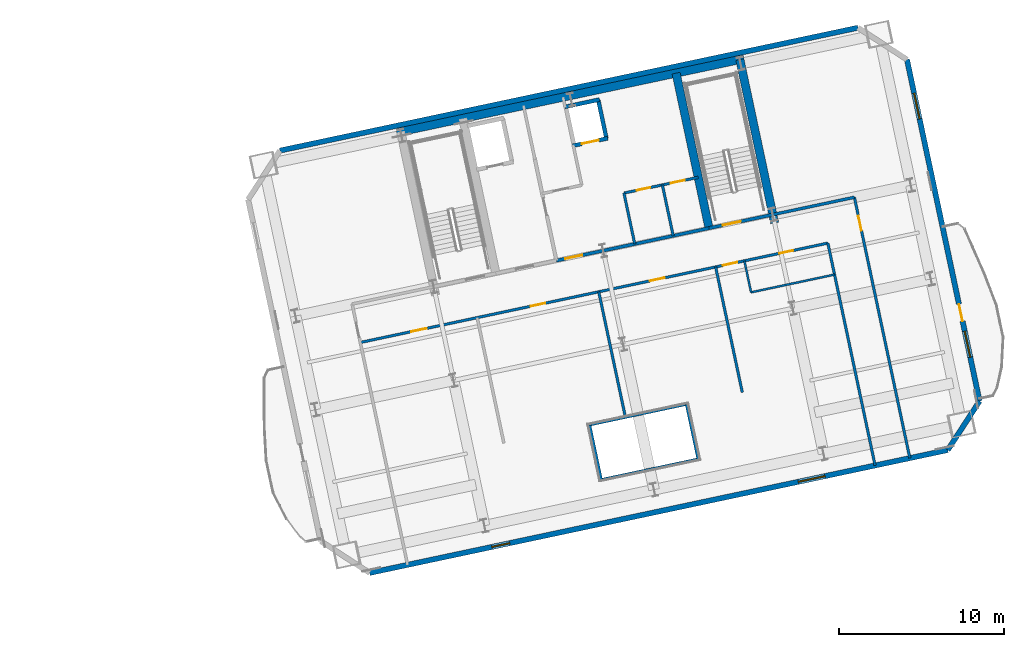
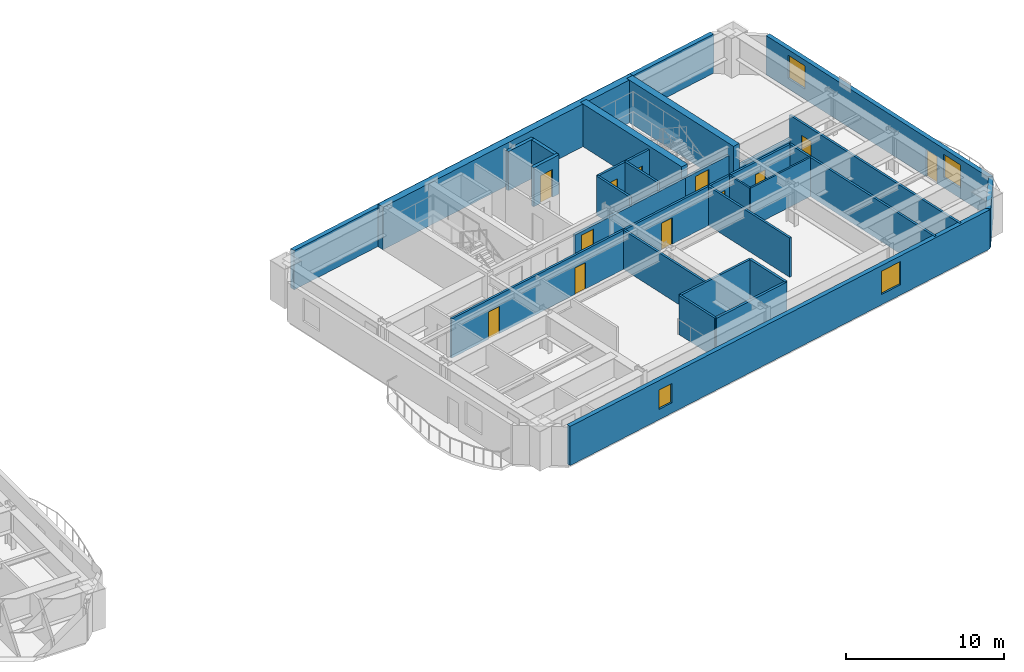
# One storey, part 10 of 15: 27 walls, 12 doors, 4 windows, 16 openings.
"""IFC4 building model written with IfcOpenShell, lengths in metres."""

from ifc_helpers import new_model, si_unit, direction, frame, frame_2d, origin, place, context, subcontext, project, spatial, rectangle, extrude, material, layer, layer_set, type_object, element, fill, save


model = new_model("IFC4")

# Units and contexts
model_context = context("Model", 3, precision=1e-05, world=origin(), true_north=direction((0.0, 1.0)))
body_context = subcontext(model_context, "Body", "Model", "MODEL_VIEW")
ifc_project = project(units=[si_unit("LENGTHUNIT", "METRE"), si_unit("AREAUNIT", "SQUARE_METRE"), si_unit("VOLUMEUNIT", "CUBIC_METRE"), si_unit("PLANEANGLEUNIT", "RADIAN"), si_unit("MASSUNIT", "GRAM", prefix="KILO")], contexts=[model_context])

# Site, building, storey
site_placement = place(None, origin())
site = spatial("IfcSite", under=ifc_project, at=site_placement, CompositionType="ELEMENT")
building_placement = place(site_placement, origin())
building = spatial("IfcBuilding", under=site, at=building_placement, Name="Haevon Station Towers", CompositionType="ELEMENT")
storey_placement = place(building_placement, frame((0.0, 0.0, 109.800048828125)))
storey = spatial("IfcBuildingStorey", under=building, at=storey_placement, Name="L29", CompositionType="ELEMENT", Elevation=109.800048828125)

# Walls
ifc_material_1 = material(Name="Gypsum board on steel stud", Category="steel")
ifc_layer_1 = layer(ifc_material_1, 0.179931640625)
ifc_layer_set_1 = layer_set([ifc_layer_1], Name="Gypsum board on steel stud")
wall_type_1 = type_object("IfcWallType", Name="WL-ACU180", PredefinedType="PARTITIONING", material=ifc_layer_set_1)
wall_1_placement = place(storey_placement, frame((119.29345703125, 41.80859375, 0.0), z_axis=(0.0, 0.0, 1.0), x_axis=(0.978154058851, 0.207881305445, 0.0)))
element("IfcWall", 1, at=wall_1_placement, inside=storey, type_object=wall_type_1, Name="WL-T2PT-L29-03", PredefinedType="PARTITIONING", context=body_context, shape_type="SweptSolid", body=[
    extrude(rectangle(XDim=5.050048828125, YDim=0.179931640625, at=frame_2d((2.52490234375, 0.0))), origin(), (0.0, 0.0, 1.0), 1.22998046875),
])
wall_2_placement = place(storey_placement, frame((108.90576171875, 25.747802734375, 0.0), z_axis=(0.0, 0.0, 1.0), x_axis=(0.978144681088, 0.207925426197, 0.0)))
element("IfcWall", 2, at=wall_2_placement, inside=storey, type_object=wall_type_1, Name="WL-T2PT-L29-06", PredefinedType="PARTITIONING", context=body_context, shape_type="SweptSolid", body=[
    extrude(rectangle(XDim=6.0, YDim=0.179931640625, at=frame_2d((3.0, 0.0))), origin(), (0.0, 0.0, 1.0), 3.030029296875),
])
wall_3_placement = place(storey_placement, frame((114.774658203125, 26.995361328125, 0.0), z_axis=(0.0, 0.0, 1.0), x_axis=(-0.207949787024, 0.97813950236, 0.0)))
element("IfcWall", 3, at=wall_3_placement, inside=storey, type_object=wall_type_1, Name="WL-T2PT-L29-09", PredefinedType="PARTITIONING", context=body_context, shape_type="SweptSolid", body=[
    extrude(rectangle(XDim=3.39990234375, YDim=0.179931640625, at=frame_2d((1.699951171875, 0.0))), origin(), (0.0, 0.0, 1.0), 3.030029296875),
])

# Wall, opening, door
ifc_layer_2 = layer(ifc_material_1, 0.199951171875)
ifc_layer_set_2 = layer_set([ifc_layer_2], Name="Gypsum board on steel stud")
wall_type_2 = type_object("IfcWallType", Name="WL-COR200", PredefinedType="PARTITIONING", material=ifc_layer_set_2)
wall_4_placement = place(storey_placement, frame((115.4296875, 40.9873046875, 0.0), z_axis=(0.0, 0.0, 1.0), x_axis=(0.978146596989, 0.207916413008, 0.0)))
wall_4 = element("IfcWall", 4, at=wall_4_placement, inside=storey, type_object=wall_type_2, Name="WL-ST-ST4-L29", PredefinedType="PARTITIONING", context=body_context, shape_type="SweptSolid", body=[
    extrude(rectangle(XDim=3.9501953125, YDim=0.199951171875, at=frame_2d((1.97509765625, 0.0))), origin(), (0.0, 0.0, 1.0), 2.3798828125),
])
opening_1_placement = place(wall_4_placement, frame((0.85009765625, 0.0, 0.0)))
opening_1 = element("IfcOpeningElement", 5, at=opening_1_placement, cuts=wall_4, Name="Opening DR-ST-ST4-L29", PredefinedType="OPENING", context=body_context, shape_type="SweptSolid", body=[
    extrude(rectangle(XDim=1.1201171875, YDim=2.10009765625, at=frame_2d((0.56005859375, 1.050048828125))), frame((0.0, 0.10986328125, 0.0), z_axis=(0.0, -1.0, 0.0), x_axis=(1.0, 0.0, 0.0)), (0.0, 0.0, 1.0), 0.219970703125),
])
ifc_material_2 = material(Name="Engineered oak timber", Category="wood")
door_type_1 = type_object("IfcDoorType", Name="DR-ST-1120", OperationType="NOTDEFINED", PredefinedType="DOOR", material=ifc_material_2)
door_1_placement = place(opening_1_placement, origin())
door_1 = element("IfcDoor", 6, at=door_1_placement, inside=storey, type_object=door_type_1, Name="L29 Escape Stair ST4 Fire Door", OperationType="SINGLE_SWING_RIGHT", OverallHeight=2.10009765625, OverallWidth=1.1201171875, PredefinedType="DOOR", context=body_context, shape_type="SweptSolid", body=[
    extrude(rectangle(XDim=1.1201171875, YDim=2.10009765625, at=frame_2d((0.56005859375, 1.050048828125))), frame((0.0, 0.02490234375, 0.0), z_axis=(0.0, -1.0, 0.0), x_axis=(1.0, 0.0, 0.0)), (0.0, 0.0, 1.0), 0.050048828125),
])
fill(opening_1, door_1)

wall_5_placement = place(storey_placement, frame((106.186279296875, 39.0224609375, 0.0), z_axis=(0.0, 0.0, 1.0), x_axis=(0.978145519981, 0.20792147975, 0.0)))
wall_5 = element("IfcWall", 7, at=wall_5_placement, inside=storey, type_object=wall_type_2, Name="WL-T2CLB-L29", PredefinedType="PARTITIONING", context=body_context, shape_type="SweptSolid", body=[
    extrude(rectangle(XDim=9.449951171875, YDim=0.199951171875, at=frame_2d((4.72509765625, 0.0))), origin(), (0.0, 0.0, 1.0), 2.3798828125),
])
opening_2_placement = place(wall_5_placement, frame((0.550048828125, 0.0, 0.0)))
opening_2 = element("IfcOpeningElement", 8, at=opening_2_placement, cuts=wall_5, Name="Opening DR-T2CLB-L29-1", PredefinedType="OPENING", context=body_context, shape_type="SweptSolid", body=[
    extrude(rectangle(XDim=1.050048828125, YDim=2.10009765625, at=frame_2d((0.52490234375, 1.050048828125))), frame((0.0, 0.10986328125, 0.0), z_axis=(0.0, -1.0, 0.0), x_axis=(1.0, 0.0, 0.0)), (0.0, 0.0, 1.0), 0.219970703125),
])
door_type_2 = type_object("IfcDoorType", Name="DR-FD60-1050", OperationType="NOTDEFINED", PredefinedType="DOOR", material=ifc_material_2)
door_2_placement = place(opening_2_placement, origin())
door_2 = element("IfcDoor", 9, at=door_2_placement, inside=storey, type_object=door_type_2, Name="L29 Tower 2 Core Lift Lobby Door 1", OperationType="SINGLE_SWING_LEFT", OverallHeight=2.10009765625, OverallWidth=1.050048828125, PredefinedType="DOOR", context=body_context, shape_type="SweptSolid", body=[
    extrude(rectangle(XDim=1.050048828125, YDim=2.10009765625, at=frame_2d((0.52490234375, 1.050048828125))), frame((0.0, 0.02490234375, 0.0), z_axis=(0.0, -1.0, 0.0), x_axis=(1.0, 0.0, 0.0)), (0.0, 0.0, 1.0), 0.050048828125),
])
fill(opening_2, door_2)

# Walls
ifc_material_3 = material(Name="Concrete C60/75", Category="concrete")
ifc_layer_3 = layer(ifc_material_3, 0.5)
ifc_layer_set_3 = layer_set([ifc_layer_3], Name="Concrete C60/75")
wall_type_3 = type_object("IfcWallType", Name="WL-CR500", PredefinedType="SHEAR", material=ifc_layer_set_3)
wall_6_placement = place(storey_placement, frame((96.511962890625, 46.78076171875, 0.0), z_axis=(0.0, 0.0, 1.0), x_axis=(0.978148546782, 0.207907239961, 0.0)))
element("IfcWall", 10, at=wall_6_placement, inside=storey, type_object=wall_type_3, Name="WL-T2CR-L29-N", PredefinedType="SHEAR", context=body_context, shape_type="SweptSolid", body=[
    extrude(rectangle(XDim=21.499755859375, YDim=0.5, at=frame_2d((10.75, 0.0))), origin(), (0.0, 0.0, 1.0), 3.300048828125),
])
wall_7_placement = place(storey_placement, frame((119.401611328125, 41.2998046875, 0.0), z_axis=(0.0, 0.0, 1.0), x_axis=(-0.207904342798, 0.978149162575, 0.0)))
element("IfcWall", 11, at=wall_7_placement, inside=storey, type_object=wall_type_3, Name="WL-T2CR-L29-E", PredefinedType="SHEAR", context=body_context, shape_type="SweptSolid", body=[
    extrude(rectangle(XDim=10.1201171875, YDim=0.5, at=frame_2d((5.06005859375, 0.0))), origin(), (0.0, 0.0, 1.0), 3.300048828125),
])
wall_8_placement = place(storey_placement, frame((115.4296875, 40.9873046875, 0.0), z_axis=(0.0, 0.0, 1.0), x_axis=(-0.207903162969, 0.978149413345, 0.0)))
element("IfcWall", 12, at=wall_8_placement, inside=storey, type_object=wall_type_3, Name="WL-T2CR-L29-M2", PredefinedType="SHEAR", context=body_context, shape_type="SweptSolid", body=[
    extrude(rectangle(XDim=9.599853515625, YDim=0.5, at=frame_2d((4.7998046875, 0.0))), origin(), (0.0, 0.0, 1.0), 3.300048828125),
])

# Wall, openings, windows
ifc_material_4 = material(Name="Precast concrete C45/55", Category="concrete")
ifc_layer_4 = layer(ifc_material_4, 0.320068359375)
ifc_layer_set_4 = layer_set([ifc_layer_4], Name="Precast concrete C45/55")
wall_type_4 = type_object("IfcWallType", Name="WL-EXT-PIER320", PredefinedType="SOLIDWALL", material=ifc_layer_set_4)
wall_9_placement = place(storey_placement, frame((129.889404296875, 27.550048828125, 0.0), z_axis=(0.0, 0.0, 1.0), x_axis=(-0.978146786281, -0.207915522479, 0.0)))
wall_9 = element("IfcWall", 13, at=wall_9_placement, inside=storey, type_object=wall_type_4, Name="WL-T2-L29-S", PredefinedType="SOLIDWALL", context=body_context, shape_type="SweptSolid", body=[
    extrude(rectangle(XDim=35.7998046875, YDim=0.320068359375, at=frame_2d((17.89990234375, 0.0))), origin(), (0.0, 0.0, 1.0), 3.030029296875),
])
opening_3_placement = place(wall_9_placement, frame((27.130126953125, 0.0, 0.800048828125)))
opening_3 = element("IfcOpeningElement", 14, at=opening_3_placement, cuts=wall_9, Name="Opening WN-COR110", PredefinedType="OPENING", context=body_context, shape_type="SweptSolid", body=[
    extrude(rectangle(XDim=1.10009765625, YDim=1.5, at=frame_2d((0.550048828125, 0.75))), frame((0.0, 0.169921875, 0.0), z_axis=(0.0, -1.0, 0.0), x_axis=(1.0, 0.0, 0.0)), (0.0, 0.0, 1.0), 0.340087890625),
])
opening_4_placement = place(wall_9_placement, frame((7.602783203125, 0.0, 0.800048828125)))
opening_4 = element("IfcOpeningElement", 15, at=opening_4_placement, cuts=wall_9, Name="Opening WN-P165", PredefinedType="OPENING", context=body_context, shape_type="SweptSolid", body=[
    extrude(rectangle(XDim=1.64990234375, YDim=1.800048828125, at=frame_2d((0.824951171875, 0.89990234375))), frame((0.0, 0.169921875, 0.0), z_axis=(0.0, -1.0, 0.0), x_axis=(1.0, 0.0, 0.0)), (0.0, 0.0, 1.0), 0.340087890625),
])
ifc_material_5 = material(Name="Low-E triple glazing in thermally broken aluminium", Category="aluminium")
window_type_1 = type_object("IfcWindowType", Name="WN-COR110", PartitioningType="SINGLE_PANEL", PredefinedType="WINDOW", material=ifc_material_5)
window_1_placement = place(opening_3_placement, origin())
window_1 = element("IfcWindow", 16, at=window_1_placement, inside=storey, type_object=window_type_1, Name="WN-T2-L29-S01", OverallHeight=1.5, OverallWidth=1.10009765625, PartitioningType="SINGLE_PANEL", PredefinedType="WINDOW", context=body_context, shape_type="SweptSolid", body=[
    extrude(rectangle(XDim=1.10009765625, YDim=1.5, at=frame_2d((0.550048828125, 0.75))), frame((0.0, 0.030029296875, 0.0), z_axis=(0.0, -1.0, 0.0), x_axis=(1.0, 0.0, 0.0)), (0.0, 0.0, 1.0), 0.06005859375),
])
fill(opening_3, window_1)
window_type_2 = type_object("IfcWindowType", Name="WN-P165", PartitioningType="SINGLE_PANEL", PredefinedType="WINDOW", material=ifc_material_5)
window_2_placement = place(opening_4_placement, origin())
window_2 = element("IfcWindow", 17, at=window_2_placement, inside=storey, type_object=window_type_2, Name="WN-T2-L29-S02", OverallHeight=1.800048828125, OverallWidth=1.64990234375, PartitioningType="SINGLE_PANEL", PredefinedType="WINDOW", context=body_context, shape_type="SweptSolid", body=[
    extrude(rectangle(XDim=1.64990234375, YDim=1.800048828125, at=frame_2d((0.824951171875, 0.89990234375))), frame((0.0, 0.030029296875, 0.0), z_axis=(0.0, -1.0, 0.0), x_axis=(1.0, 0.0, 0.0)), (0.0, 0.0, 1.0), 0.06005859375),
])
fill(opening_4, window_2)

# Wall
wall_10_placement = place(storey_placement, frame((89.43505859375, 45.685302734375, 0.0), z_axis=(0.0, 0.0, 1.0), x_axis=(0.978146786281, 0.207915522479, 0.0)))
element("IfcWall", 18, at=wall_10_placement, inside=storey, type_object=wall_type_4, Name="WL-T2-L29-N", PredefinedType="SOLIDWALL", context=body_context, shape_type="SweptSolid", body=[
    extrude(rectangle(XDim=35.7998046875, YDim=0.320068359375, at=frame_2d((17.89990234375, 0.0))), origin(), (0.0, 0.0, 1.0), 3.030029296875),
])

# Wall, openings, door, windows
wall_11_placement = place(storey_placement, frame((127.417724609375, 51.202880859375, 0.0), z_axis=(0.0, 0.0, 1.0), x_axis=(0.207918258146, -0.978146204782, 0.0)))
wall_11 = element("IfcWall", 19, at=wall_11_placement, inside=storey, type_object=wall_type_4, Name="WL-T2-L29-E", PredefinedType="SOLIDWALL", context=body_context, shape_type="SweptSolid", body=[
    extrude(rectangle(XDim=21.14990234375, YDim=0.320068359375, at=frame_2d((10.574951171875, 0.0))), origin(), (0.0, 0.0, 1.0), 3.030029296875),
])
opening_5_placement = place(wall_11_placement, frame((15.14990234375, 0.0, 0.0)))
opening_5 = element("IfcOpeningElement", 20, at=opening_5_placement, cuts=wall_11, Name="Opening DR-T2-SCAL-L29-E", PredefinedType="OPENING", context=body_context, shape_type="SweptSolid", body=[
    extrude(rectangle(XDim=1.050048828125, YDim=2.10009765625, at=frame_2d((0.52490234375, 1.050048828125))), frame((0.0, 0.169921875, 0.0), z_axis=(0.0, -1.0, 0.0), x_axis=(1.0, 0.0, 0.0)), (0.0, 0.0, 1.0), 0.340087890625),
])
opening_6_placement = place(wall_11_placement, frame((2.08203125, 0.0, 0.800048828125)))
opening_6 = element("IfcOpeningElement", 21, at=opening_6_placement, cuts=wall_11, Name="Opening WN-END160", PredefinedType="OPENING", context=body_context, shape_type="SweptSolid", body=[
    extrude(rectangle(XDim=1.60009765625, YDim=1.800048828125, at=frame_2d((0.800048828125, 0.89990234375))), frame((0.0, 0.169921875, 0.0), z_axis=(0.0, -1.0, 0.0), x_axis=(1.0, 0.0, 0.0)), (0.0, 0.0, 1.0), 0.340087890625),
])
opening_7_placement = place(wall_11_placement, frame((16.826904296875, 0.0, 0.800048828125)))
opening_7 = element("IfcOpeningElement", 22, at=opening_7_placement, cuts=wall_11, Name="Opening WN-END160", PredefinedType="OPENING", context=body_context, shape_type="SweptSolid", body=[
    extrude(rectangle(XDim=1.60009765625, YDim=1.800048828125, at=frame_2d((0.800048828125, 0.89990234375))), frame((0.0, 0.169921875, 0.0), z_axis=(0.0, -1.0, 0.0), x_axis=(1.0, 0.0, 0.0)), (0.0, 0.0, 1.0), 0.340087890625),
])
ifc_material_6 = material(Name="Thermally broken anodised aluminium and laminated safety glass", Category="aluminium")
door_type_3 = type_object("IfcDoorType", Name="DR-BALC-1050", OperationType="NOTDEFINED", PredefinedType="DOOR", material=ifc_material_6)
door_3_placement = place(opening_5_placement, origin())
door_3 = element("IfcDoor", 23, at=door_3_placement, inside=storey, type_object=door_type_3, Name="Tower 2 L29 East Scalloped Balcony Door", OperationType="SINGLE_SWING_LEFT", OverallHeight=2.10009765625, OverallWidth=1.050048828125, PredefinedType="DOOR", context=body_context, shape_type="SweptSolid", body=[
    extrude(rectangle(XDim=1.050048828125, YDim=2.10009765625, at=frame_2d((0.52490234375, 1.050048828125))), frame((0.0, 0.02490234375, 0.0), z_axis=(0.0, -1.0, 0.0), x_axis=(1.0, 0.0, 0.0)), (0.0, 0.0, 1.0), 0.050048828125),
])
fill(opening_5, door_3)
window_type_3 = type_object("IfcWindowType", Name="WN-END160", PartitioningType="SINGLE_PANEL", PredefinedType="WINDOW", material=ifc_material_5)
window_3_placement = place(opening_6_placement, origin())
window_3 = element("IfcWindow", 24, at=window_3_placement, inside=storey, type_object=window_type_3, Name="WN-T2-L29-E01", OverallHeight=1.800048828125, OverallWidth=1.60009765625, PartitioningType="SINGLE_PANEL", PredefinedType="WINDOW", context=body_context, shape_type="SweptSolid", body=[
    extrude(rectangle(XDim=1.60009765625, YDim=1.800048828125, at=frame_2d((0.800048828125, 0.89990234375))), frame((0.0, 0.030029296875, 0.0), z_axis=(0.0, -1.0, 0.0), x_axis=(1.0, 0.0, 0.0)), (0.0, 0.0, 1.0), 0.06005859375),
])
fill(opening_6, window_3)
window_4_placement = place(opening_7_placement, origin())
window_4 = element("IfcWindow", 25, at=window_4_placement, inside=storey, type_object=window_type_3, Name="WN-T2-L29-E02", OverallHeight=1.800048828125, OverallWidth=1.60009765625, PartitioningType="SINGLE_PANEL", PredefinedType="WINDOW", context=body_context, shape_type="SweptSolid", body=[
    extrude(rectangle(XDim=1.60009765625, YDim=1.800048828125, at=frame_2d((0.800048828125, 0.89990234375))), frame((0.0, 0.030029296875, 0.0), z_axis=(0.0, -1.0, 0.0), x_axis=(1.0, 0.0, 0.0)), (0.0, 0.0, 1.0), 0.06005859375),
])
fill(opening_7, window_4)

# Walls
wall_12_placement = place(storey_placement, frame((131.815185546875, 30.51513671875, 0.0), z_axis=(0.0, 0.0, 1.0), x_axis=(-0.544684921471, -0.838640767148, 0.0)))
element("IfcWall", 26, at=wall_12_placement, inside=storey, type_object=wall_type_4, Name="WL-T2-L29-SEC", PredefinedType="SOLIDWALL", context=body_context, shape_type="SweptSolid", body=[
    extrude(rectangle(XDim=3.53564453125, YDim=0.320068359375, at=frame_2d((1.767822265625, 0.0))), origin(), (0.0, 0.0, 1.0), 3.030029296875),
])
ifc_layer_5 = layer(ifc_material_1, 0.125)
ifc_layer_set_5 = layer_set([ifc_layer_5], Name="Gypsum board on steel stud")
wall_type_5 = type_object("IfcWallType", Name="WL-PRT125", PredefinedType="PARTITIONING", material=ifc_layer_set_5)
wall_13_placement = place(storey_placement, frame((117.975341796875, 37.1015625, 0.0), z_axis=(0.0, 0.0, 1.0), x_axis=(0.97814744326, 0.207912431673, 0.0)))
element("IfcWall", 27, at=wall_13_placement, inside=storey, type_object=wall_type_5, Name="WL-T2PT-L29-15", PredefinedType="PARTITIONING", context=body_context, shape_type="SweptSolid", body=[
    extrude(rectangle(XDim=5.16796875, YDim=0.125, at=frame_2d((2.583984375, 0.0))), origin(), (0.0, 0.0, 1.0), 3.030029296875),
])
wall_14_placement = place(storey_placement, frame((117.975341796875, 37.1015625, 0.0), z_axis=(0.0, 0.0, 1.0), x_axis=(-0.207947096322, 0.978140074392, 0.0)))
element("IfcWall", 28, at=wall_14_placement, inside=storey, type_object=wall_type_5, Name="WL-T2PT-L29-16", PredefinedType="PARTITIONING", context=body_context, shape_type="SweptSolid", body=[
    extrude(rectangle(XDim=1.9501953125, YDim=0.125, at=frame_2d((0.97509765625, 0.0))), origin(), (0.0, 0.0, 1.0), 3.030029296875),
])
ifc_layer_6 = layer(ifc_material_1, 0.159912109375)
ifc_layer_set_6 = layer_set([ifc_layer_6], Name="Gypsum board on steel stud")
wall_type_6 = type_object("IfcWallType", Name="WL-PRT160", PredefinedType="PARTITIONING", material=ifc_layer_set_6)
wall_15_placement = place(storey_placement, frame((110.93017578125, 40.031005859375, 0.0), z_axis=(0.0, 0.0, 1.0), x_axis=(-0.207877295669, 0.978154911016, 0.0)))
element("IfcWall", 29, at=wall_15_placement, inside=storey, type_object=wall_type_6, Name="WL-T2CW-L29-05", PredefinedType="PARTITIONING", context=body_context, shape_type="SweptSolid", body=[
    extrude(rectangle(XDim=3.14990234375, YDim=0.159912109375, at=frame_2d((1.574951171875, 0.0))), origin(), (0.0, 0.0, 1.0), 3.030029296875),
])
wall_16_placement = place(storey_placement, frame((113.25830078125, 40.525634765625, 0.0), z_axis=(0.0, 0.0, 1.0), x_axis=(-0.207935688634, 0.978142499533, 0.0)))
element("IfcWall", 30, at=wall_16_placement, inside=storey, type_object=wall_type_6, Name="WL-T2CW-L29-06", PredefinedType="PARTITIONING", context=body_context, shape_type="SweptSolid", body=[
    extrude(rectangle(XDim=3.150146484375, YDim=0.159912109375, at=frame_2d((1.5751953125, 0.0))), origin(), (0.0, 0.0, 1.0), 3.030029296875),
])

# Wall, openings, doors
wall_17_placement = place(storey_placement, frame((110.275390625, 43.112060546875, 0.0), z_axis=(0.0, 0.0, 1.0), x_axis=(0.978152106073, 0.207890493732, 0.0)))
wall_17 = element("IfcWall", 31, at=wall_17_placement, inside=storey, type_object=wall_type_6, Name="WL-T2CW-L29-07", PredefinedType="PARTITIONING", context=body_context, shape_type="SweptSolid", body=[
    extrude(rectangle(XDim=4.60009765625, YDim=0.159912109375, at=frame_2d((2.300048828125, 0.0))), origin(), (0.0, 0.0, 1.0), 3.030029296875),
])
opening_8_placement = place(wall_17_placement, frame((0.784912109375, 0.0, 0.0)))
opening_8 = element("IfcOpeningElement", 32, at=opening_8_placement, cuts=wall_17, Name="Opening DR-WL-T2CW-L29-07-1", PredefinedType="OPENING", context=body_context, shape_type="SweptSolid", body=[
    extrude(rectangle(XDim=0.85009765625, YDim=2.050048828125, at=frame_2d((0.425048828125, 1.02490234375))), frame((0.0, 0.08984375, 0.0), z_axis=(0.0, -1.0, 0.0), x_axis=(1.0, 0.0, 0.0)), (0.0, 0.0, 1.0), 0.179931640625),
])
opening_9_placement = place(wall_17_placement, frame((2.905029296875, 0.0, 0.0)))
opening_9 = element("IfcOpeningElement", 33, at=opening_9_placement, cuts=wall_17, Name="Opening DR-WL-T2CW-L29-07-2", PredefinedType="OPENING", context=body_context, shape_type="SweptSolid", body=[
    extrude(rectangle(XDim=0.85009765625, YDim=2.050048828125, at=frame_2d((0.425048828125, 1.02490234375))), frame((0.0, 0.08984375, 0.0), z_axis=(0.0, -1.0, 0.0), x_axis=(1.0, 0.0, 0.0)), (0.0, 0.0, 1.0), 0.179931640625),
])
door_type_4 = type_object("IfcDoorType", Name="DR-FD30-850", OperationType="NOTDEFINED", PredefinedType="DOOR", material=ifc_material_2)
door_4_placement = place(opening_8_placement, origin())
door_4 = element("IfcDoor", 34, at=door_4_placement, inside=storey, type_object=door_type_4, Name="L29 Tower 2 Core Room Door 7-1", OperationType="SINGLE_SWING_LEFT", OverallHeight=2.050048828125, OverallWidth=0.85009765625, PredefinedType="DOOR", context=body_context, shape_type="SweptSolid", body=[
    extrude(rectangle(XDim=0.85009765625, YDim=2.050048828125, at=frame_2d((0.425048828125, 1.02490234375))), frame((0.0, 0.02490234375, 0.0), z_axis=(0.0, -1.0, 0.0), x_axis=(1.0, 0.0, 0.0)), (0.0, 0.0, 1.0), 0.050048828125),
])
fill(opening_8, door_4)
door_5_placement = place(opening_9_placement, origin())
door_5 = element("IfcDoor", 35, at=door_5_placement, inside=storey, type_object=door_type_4, Name="L29 Tower 2 Core Room Door 7-2", OperationType="SINGLE_SWING_RIGHT", OverallHeight=2.050048828125, OverallWidth=0.85009765625, PredefinedType="DOOR", context=body_context, shape_type="SweptSolid", body=[
    extrude(rectangle(XDim=0.85009765625, YDim=2.050048828125, at=frame_2d((0.425048828125, 1.02490234375))), frame((0.0, 0.02490234375, 0.0), z_axis=(0.0, -1.0, 0.0), x_axis=(1.0, 0.0, 0.0)), (0.0, 0.0, 1.0), 0.050048828125),
])
fill(opening_9, door_5)

# Wall
wall_18_placement = place(storey_placement, frame((125.48779296875, 26.614501953125, 0.0), z_axis=(0.0, 0.0, 1.0), x_axis=(-0.207902650026, 0.97814952237, 0.0)))
element("IfcWall", 36, at=wall_18_placement, inside=storey, type_object=wall_type_6, Name="WL-T2PT-L29-01", PredefinedType="PARTITIONING", context=body_context, shape_type="SweptSolid", body=[
    extrude(rectangle(XDim=13.769775390625, YDim=0.159912109375, at=frame_2d((6.884765625, 0.0))), origin(), (0.0, 0.0, 1.0), 3.030029296875),
])

# Wall, opening, door
wall_19_placement = place(storey_placement, frame((127.5908203125, 27.0615234375, 0.0), z_axis=(0.0, 0.0, 1.0), x_axis=(-0.207907933608, 0.978148399346, 0.0)))
wall_19 = element("IfcWall", 37, at=wall_19_placement, inside=storey, type_object=wall_type_6, Name="WL-T2PT-L29-05", PredefinedType="PARTITIONING", context=body_context, shape_type="SweptSolid", body=[
    extrude(rectangle(XDim=16.149658203125, YDim=0.159912109375, at=frame_2d((8.07470703125, 0.0))), origin(), (0.0, 0.0, 1.0), 3.030029296875),
])
opening_10_placement = place(wall_19_placement, frame((14.090087890625, 0.0, 0.0)))
opening_10 = element("IfcOpeningElement", 38, at=opening_10_placement, cuts=wall_19, Name="Opening DR-WL-T2PT-L29-05-01", PredefinedType="OPENING", context=body_context, shape_type="SweptSolid", body=[
    extrude(rectangle(XDim=0.89990234375, YDim=2.050048828125, at=frame_2d((0.449951171875, 1.02490234375))), frame((0.0, 0.08984375, 0.0), z_axis=(0.0, -1.0, 0.0), x_axis=(1.0, 0.0, 0.0)), (0.0, 0.0, 1.0), 0.179931640625),
])
door_type_5 = type_object("IfcDoorType", Name="DR-INT-900", OperationType="NOTDEFINED", PredefinedType="DOOR", material=ifc_material_2)
door_6_placement = place(opening_10_placement, origin())
door_6 = element("IfcDoor", 39, at=door_6_placement, inside=storey, type_object=door_type_5, Name="L29 Tower 2 Room Door 5-1", OperationType="SINGLE_SWING_RIGHT", OverallHeight=2.050048828125, OverallWidth=0.89990234375, PredefinedType="DOOR", context=body_context, shape_type="SweptSolid", body=[
    extrude(rectangle(XDim=0.89990234375, YDim=2.050048828125, at=frame_2d((0.449951171875, 1.02490234375))), frame((0.0, 0.02490234375, 0.0), z_axis=(0.0, -1.0, 0.0), x_axis=(1.0, 0.0, 0.0)), (0.0, 0.0, 1.0), 0.050048828125),
])
fill(opening_10, door_6)

# Walls
wall_20_placement = place(storey_placement, frame((108.19873046875, 29.073486328125, 0.0), z_axis=(0.0, 0.0, 1.0), x_axis=(0.978144681088, 0.207925426197, 0.0)))
element("IfcWall", 40, at=wall_20_placement, inside=storey, type_object=wall_type_6, Name="WL-T2PT-L29-07", PredefinedType="PARTITIONING", context=body_context, shape_type="SweptSolid", body=[
    extrude(rectangle(XDim=6.0, YDim=0.159912109375, at=frame_2d((3.0, 0.0))), origin(), (0.0, 0.0, 1.0), 3.030029296875),
])
wall_21_placement = place(storey_placement, frame((108.90576171875, 25.747802734375, 0.0), z_axis=(0.0, 0.0, 1.0), x_axis=(-0.207949787024, 0.97813950236, 0.0)))
element("IfcWall", 41, at=wall_21_placement, inside=storey, type_object=wall_type_6, Name="WL-T2PT-L29-08", PredefinedType="PARTITIONING", context=body_context, shape_type="SweptSolid", body=[
    extrude(rectangle(XDim=3.39990234375, YDim=0.159912109375, at=frame_2d((1.699951171875, 0.0))), origin(), (0.0, 0.0, 1.0), 3.030029296875),
])
wall_22_placement = place(storey_placement, frame((110.364990234375, 29.533935546875, 0.0), z_axis=(0.0, 0.0, 1.0), x_axis=(-0.207908735063, 0.978148228994, 0.0)))
element("IfcWall", 42, at=wall_22_placement, inside=storey, type_object=wall_type_6, Name="WL-T2PT-L29-11", PredefinedType="PARTITIONING", context=body_context, shape_type="SweptSolid", body=[
    extrude(rectangle(XDim=7.77001953125, YDim=0.159912109375, at=frame_2d((3.885009765625, 0.0))), origin(), (0.0, 0.0, 1.0), 3.030029296875),
])
wall_23_placement = place(storey_placement, frame((117.444091796875, 31.038818359375, 0.0), z_axis=(0.0, 0.0, 1.0), x_axis=(-0.207885061733, 0.978153260542, 0.0)))
element("IfcWall", 43, at=wall_23_placement, inside=storey, type_object=wall_type_6, Name="WL-T2PT-L29-13", PredefinedType="PARTITIONING", context=body_context, shape_type="SweptSolid", body=[
    extrude(rectangle(XDim=7.769775390625, YDim=0.159912109375, at=frame_2d((3.884765625, 0.0))), origin(), (0.0, 0.0, 1.0), 3.030029296875),
])

# Wall, openings, doors
wall_24_placement = place(storey_placement, frame((94.3076171875, 34.064453125, 0.0), z_axis=(0.0, 0.0, 1.0), x_axis=(0.978147618699, 0.207911606299, 0.0)))
wall_24 = element("IfcWall", 44, at=wall_24_placement, inside=storey, type_object=wall_type_6, Name="WL-T2PT-L29-17", PredefinedType="PARTITIONING", context=body_context, shape_type="SweptSolid", body=[
    extrude(rectangle(XDim=28.949951171875, YDim=0.159912109375, at=frame_2d((14.47509765625, 0.0))), origin(), (0.0, 0.0, 1.0), 3.030029296875),
])
opening_11_placement = place(wall_24_placement, frame((3.14404296875, 0.0, 0.0)))
opening_11 = element("IfcOpeningElement", 45, at=opening_11_placement, cuts=wall_24, Name="Opening DR-WL-T2PT-L29-17-01", PredefinedType="OPENING", context=body_context, shape_type="SweptSolid", body=[
    extrude(rectangle(XDim=0.949951171875, YDim=2.10009765625, at=frame_2d((0.47509765625, 1.050048828125))), frame((0.0, 0.08984375, 0.0), z_axis=(0.0, -1.0, 0.0), x_axis=(1.0, 0.0, 0.0)), (0.0, 0.0, 1.0), 0.179931640625),
])
opening_12_placement = place(wall_24_placement, frame((10.551025390625, 0.0, 0.0)))
opening_12 = element("IfcOpeningElement", 46, at=opening_12_placement, cuts=wall_24, Name="Opening DR-WL-T2PT-L29-17-02", PredefinedType="OPENING", context=body_context, shape_type="SweptSolid", body=[
    extrude(rectangle(XDim=0.89990234375, YDim=2.050048828125, at=frame_2d((0.449951171875, 1.02490234375))), frame((0.0, 0.08984375, 0.0), z_axis=(0.0, -1.0, 0.0), x_axis=(1.0, 0.0, 0.0)), (0.0, 0.0, 1.0), 0.179931640625),
])
opening_13_placement = place(wall_24_placement, frame((17.93310546875, 0.0, 0.0)))
opening_13 = element("IfcOpeningElement", 47, at=opening_13_placement, cuts=wall_24, Name="Opening DR-WL-T2PT-L29-17-03", PredefinedType="OPENING", context=body_context, shape_type="SweptSolid", body=[
    extrude(rectangle(XDim=0.89990234375, YDim=2.050048828125, at=frame_2d((0.449951171875, 1.02490234375))), frame((0.0, 0.08984375, 0.0), z_axis=(0.0, -1.0, 0.0), x_axis=(1.0, 0.0, 0.0)), (0.0, 0.0, 1.0), 0.179931640625),
])
opening_14_placement = place(wall_24_placement, frame((25.94091796875, 0.0, 0.0)))
opening_14 = element("IfcOpeningElement", 48, at=opening_14_placement, cuts=wall_24, Name="Opening DR-WL-T2PT-L29-17-04", PredefinedType="OPENING", context=body_context, shape_type="SweptSolid", body=[
    extrude(rectangle(XDim=0.85009765625, YDim=2.050048828125, at=frame_2d((0.425048828125, 1.02490234375))), frame((0.0, 0.08984375, 0.0), z_axis=(0.0, -1.0, 0.0), x_axis=(1.0, 0.0, 0.0)), (0.0, 0.0, 1.0), 0.179931640625),
])
opening_15_placement = place(wall_24_placement, frame((22.44189453125, 0.0, 0.0)))
opening_15 = element("IfcOpeningElement", 49, at=opening_15_placement, cuts=wall_24, Name="Opening DR-WL-T2PT-L29-17-05", PredefinedType="OPENING", context=body_context, shape_type="SweptSolid", body=[
    extrude(rectangle(XDim=0.89990234375, YDim=2.050048828125, at=frame_2d((0.449951171875, 1.02490234375))), frame((0.0, 0.08984375, 0.0), z_axis=(0.0, -1.0, 0.0), x_axis=(1.0, 0.0, 0.0)), (0.0, 0.0, 1.0), 0.179931640625),
])
door_7_placement = place(opening_14_placement, origin())
door_7 = element("IfcDoor", 50, at=door_7_placement, inside=storey, type_object=door_type_4, Name="L29 Tower 2 Room Door 17-4", OperationType="SINGLE_SWING_RIGHT", OverallHeight=2.050048828125, OverallWidth=0.85009765625, PredefinedType="DOOR", context=body_context, shape_type="SweptSolid", body=[
    extrude(rectangle(XDim=0.85009765625, YDim=2.050048828125, at=frame_2d((0.425048828125, 1.02490234375))), frame((0.0, 0.02490234375, 0.0), z_axis=(0.0, -1.0, 0.0), x_axis=(1.0, 0.0, 0.0)), (0.0, 0.0, 1.0), 0.050048828125),
])
fill(opening_14, door_7)
door_type_6 = type_object("IfcDoorType", Name="DR-FD30-950", OperationType="NOTDEFINED", PredefinedType="DOOR", material=ifc_material_2)
door_8_placement = place(opening_11_placement, origin())
door_8 = element("IfcDoor", 51, at=door_8_placement, inside=storey, type_object=door_type_6, Name="L29 Tower 2 Room Door 17-1", OperationType="SINGLE_SWING_LEFT", OverallHeight=2.10009765625, OverallWidth=0.949951171875, PredefinedType="DOOR", context=body_context, shape_type="SweptSolid", body=[
    extrude(rectangle(XDim=0.949951171875, YDim=2.10009765625, at=frame_2d((0.47509765625, 1.050048828125))), frame((0.0, 0.02490234375, 0.0), z_axis=(0.0, -1.0, 0.0), x_axis=(1.0, 0.0, 0.0)), (0.0, 0.0, 1.0), 0.050048828125),
])
fill(opening_11, door_8)
door_9_placement = place(opening_12_placement, origin())
door_9 = element("IfcDoor", 52, at=door_9_placement, inside=storey, type_object=door_type_5, Name="L29 Tower 2 Room Door 17-2", OperationType="SINGLE_SWING_RIGHT", OverallHeight=2.050048828125, OverallWidth=0.89990234375, PredefinedType="DOOR", context=body_context, shape_type="SweptSolid", body=[
    extrude(rectangle(XDim=0.89990234375, YDim=2.050048828125, at=frame_2d((0.449951171875, 1.02490234375))), frame((0.0, 0.02490234375, 0.0), z_axis=(0.0, -1.0, 0.0), x_axis=(1.0, 0.0, 0.0)), (0.0, 0.0, 1.0), 0.050048828125),
])
fill(opening_12, door_9)
door_10_placement = place(opening_13_placement, origin())
door_10 = element("IfcDoor", 53, at=door_10_placement, inside=storey, type_object=door_type_5, Name="L29 Tower 2 Room Door 17-3", OperationType="SINGLE_SWING_LEFT", OverallHeight=2.050048828125, OverallWidth=0.89990234375, PredefinedType="DOOR", context=body_context, shape_type="SweptSolid", body=[
    extrude(rectangle(XDim=0.89990234375, YDim=2.050048828125, at=frame_2d((0.449951171875, 1.02490234375))), frame((0.0, 0.02490234375, 0.0), z_axis=(0.0, -1.0, 0.0), x_axis=(1.0, 0.0, 0.0)), (0.0, 0.0, 1.0), 0.050048828125),
])
fill(opening_13, door_10)
door_11_placement = place(opening_15_placement, origin())
door_11 = element("IfcDoor", 54, at=door_11_placement, inside=storey, type_object=door_type_5, Name="L29 Tower 2 Room Door 17-5", OperationType="SINGLE_SWING_LEFT", OverallHeight=2.050048828125, OverallWidth=0.89990234375, PredefinedType="DOOR", context=body_context, shape_type="SweptSolid", body=[
    extrude(rectangle(XDim=0.89990234375, YDim=2.050048828125, at=frame_2d((0.449951171875, 1.02490234375))), frame((0.0, 0.02490234375, 0.0), z_axis=(0.0, -1.0, 0.0), x_axis=(1.0, 0.0, 0.0)), (0.0, 0.0, 1.0), 0.050048828125),
])
fill(opening_15, door_11)

# Wall, opening, door
ifc_material_7 = material(Name="Concrete C40/50", Category="concrete")
ifc_layer_7 = layer(ifc_material_7, 0.239990234375)
ifc_layer_set_7 = layer_set([ifc_layer_7], Name="Concrete C40/50")
wall_type_7 = type_object("IfcWallType", Name="WL-SHF240", PredefinedType="PARTITIONING", material=ifc_layer_set_7)
wall_25_placement = place(storey_placement, frame((107.18115234375, 45.9814453125, 0.0), z_axis=(0.0, 0.0, 1.0), x_axis=(0.97813528961, 0.207969601673, 0.0)))
wall_25 = element("IfcWall", 55, at=wall_25_placement, inside=storey, type_object=wall_type_7, Name="WL-SHF-PL8-L29", PredefinedType="PARTITIONING", context=body_context, shape_type="SweptSolid", body=[
    extrude(rectangle(XDim=2.159912109375, YDim=0.239990234375, at=frame_2d((1.080078125, 0.0))), origin(), (0.0, 0.0, 1.0), 3.030029296875),
])
opening_16_placement = place(wall_25_placement, frame((0.554931640625, 0.0, 0.0)))
opening_16 = element("IfcOpeningElement", 56, at=opening_16_placement, cuts=wall_25, Name="Opening LD-PL8-L29", PredefinedType="OPENING", context=body_context, shape_type="SweptSolid", body=[
    extrude(rectangle(XDim=1.050048828125, YDim=2.14990234375, at=frame_2d((0.52490234375, 1.074951171875))), frame((0.0, 0.1298828125, 0.0), z_axis=(0.0, -1.0, 0.0), x_axis=(1.0, 0.0, 0.0)), (0.0, 0.0, 1.0), 0.260009765625),
])
ifc_material_8 = material(Name="Stainless steel and rated core", Category="steel")
door_type_7 = type_object("IfcDoorType", Name="LD-PL1050", OperationType="SLIDING_TO_LEFT", PredefinedType="DOOR", material=ifc_material_8)
door_12_placement = place(opening_16_placement, origin())
door_12 = element("IfcDoor", 57, at=door_12_placement, inside=storey, type_object=door_type_7, Name="L29 Lift PL8 Sliding Landing Door", OperationType="SLIDING_TO_LEFT", OverallHeight=2.14990234375, OverallWidth=1.050048828125, PredefinedType="DOOR", context=body_context, shape_type="SweptSolid", body=[
    extrude(rectangle(XDim=1.050048828125, YDim=2.14990234375, at=frame_2d((0.52490234375, 1.074951171875))), frame((0.0, 0.02490234375, 0.0), z_axis=(0.0, -1.0, 0.0), x_axis=(1.0, 0.0, 0.0)), (0.0, 0.0, 1.0), 0.050048828125),
])
fill(opening_16, door_12)

# Walls
wall_26_placement = place(storey_placement, frame((106.68212890625, 48.3291015625, 0.0), z_axis=(0.0, 0.0, 1.0), x_axis=(0.978158276388, 0.207861459473, 0.0)))
element("IfcWall", 58, at=wall_26_placement, inside=storey, type_object=wall_type_7, Name="WL-SHF-PL8-L29-N", PredefinedType="PARTITIONING", context=body_context, shape_type="SweptSolid", body=[
    extrude(rectangle(XDim=2.159912109375, YDim=0.239990234375, at=frame_2d((1.080078125, 0.0))), origin(), (0.0, 0.0, 1.0), 3.030029296875),
])
wall_27_placement = place(storey_placement, frame((109.2158203125, 46.413818359375, 0.0), z_axis=(0.0, 0.0, 1.0), x_axis=(-0.207917150959, 0.978146440129, 0.0)))
element("IfcWall", 59, at=wall_27_placement, inside=storey, type_object=wall_type_7, Name="WL-SHF-PL8-L29-E", PredefinedType="PARTITIONING", context=body_context, shape_type="SweptSolid", body=[
    extrude(rectangle(XDim=2.400146484375, YDim=0.239990234375, at=frame_2d((1.2001953125, 0.0))), origin(), (0.0, 0.0, 1.0), 3.030029296875),
])

save(model, "model.ifc")
